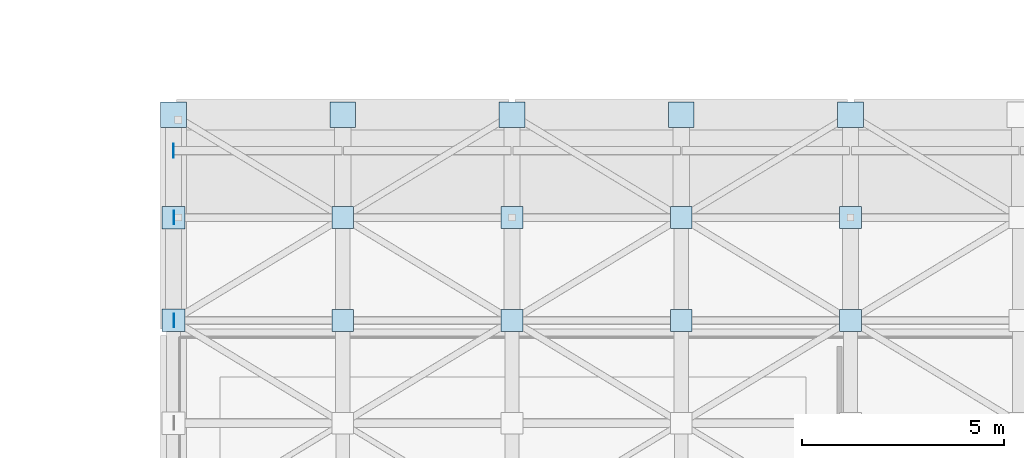
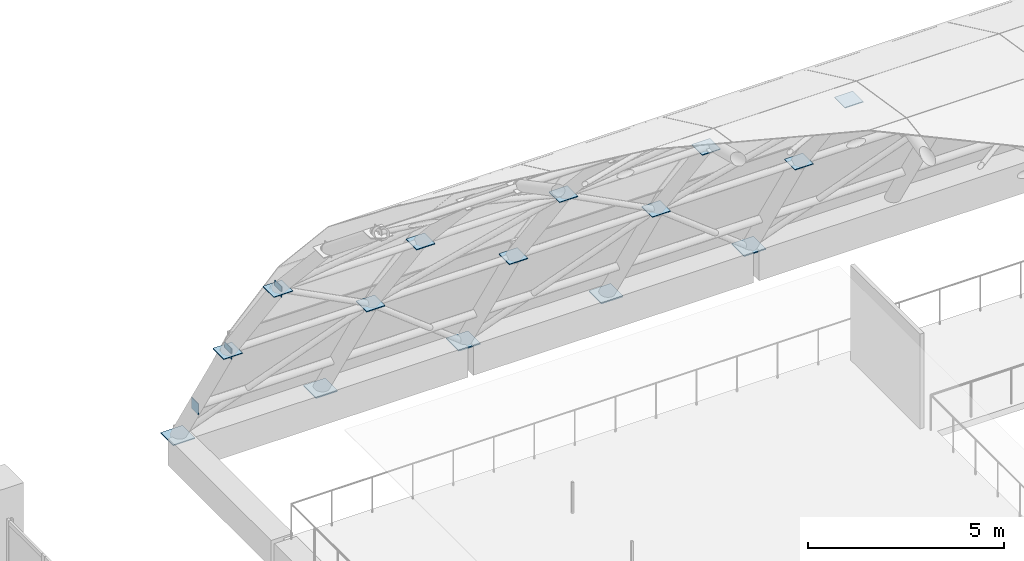
# One storey, part 47 of 128: 18 plates.
"""IFC4 building model written with IfcOpenShell, lengths in metres."""

import ifcopenshell
import ifcopenshell.guid

model = None  # the IFC model being written
_history = None  # IfcOwnerHistory: only IFC2X3 demands one
_inside = {}  # id of a spatial element -> (the spatial element, [elements in it])
_under = {}  # id of a project, library or spatial element -> (it, [spatial elements below it])
_declared = {}  # id of a project -> (the project, [libraries it declares])
_typed = {}  # id of a type object -> (the type object, [elements of that type])
_made_of = {}  # id of a material, layer set ... -> (it, [elements and type objects made of it])


def new_model(schema):
    """Start an empty IFC model of exactly this schema.

    Asked for "IFC4X3", IfcOpenShell would pick the latest addendum, in which some entities
    have other attributes; the version numbers below select the first issue.
    IFC2X3 requires an IfcOwnerHistory on every rooted entity: one is made here for all.
    """
    global model, _history
    if schema == "IFC4X3":
        model = ifcopenshell.file(schema_version=(4, 3, 0, 0))
    else:
        model = ifcopenshell.file(schema=schema)
    _inside.clear()
    _under.clear()
    _declared.clear()
    _typed.clear()
    _made_of.clear()
    _history = None
    if model.schema == "IFC2X3":
        org = make("IfcOrganization", Name="unknown")
        user = make(
            "IfcPersonAndOrganization",
            ThePerson=make("IfcPerson", FamilyName="unknown"),
            TheOrganization=org,
        )
        app = make(
            "IfcApplication",
            ApplicationDeveloper=org,
            Version="unknown",
            ApplicationFullName="unknown",
            ApplicationIdentifier="unknown",
        )
        _history = make(
            "IfcOwnerHistory",
            OwningUser=user,
            OwningApplication=app,
            ChangeAction="ADDED",
            CreationDate=0,
        )
    return model


def make(cls, **values):
    """One entity of the class cls with the attributes given. An attribute that is None is left unset."""
    return model.create_entity(
        cls, **{name: value for name, value in values.items() if value is not None}
    )


def rooted(cls, **values):
    """An entity with a GlobalId (a new one), such as an element, a storey or a relation."""
    return make(cls, GlobalId=ifcopenshell.guid.new(), OwnerHistory=_history, **values)


def si_unit(unit_type, name, prefix=None):
    """IfcSIUnit, for example si_unit("LENGTHUNIT", "METRE", prefix="MILLI")."""
    return make("IfcSIUnit", UnitType=unit_type, Prefix=prefix, Name=name)


def assignment(units):
    """IfcUnitAssignment: the units of a project."""
    return None if units is None else make("IfcUnitAssignment", Units=units)


def point(xyz):
    """IfcCartesianPoint."""
    return None if xyz is None else make("IfcCartesianPoint", Coordinates=xyz)


def direction(xyz):
    """IfcDirection."""
    return None if xyz is None else make("IfcDirection", DirectionRatios=xyz)


def frame(location, z_axis=None, x_axis=None):
    """IfcAxis2Placement3D, a coordinate frame: its origin and axes. An axis left out is left unset."""
    return make(
        "IfcAxis2Placement3D",
        Location=point(location),
        Axis=direction(z_axis),
        RefDirection=direction(x_axis),
    )


def frame_2d(location, x_axis=None):
    """IfcAxis2Placement2D, a coordinate frame in the plane: its origin and x axis."""
    return make(
        "IfcAxis2Placement2D", Location=point(location), RefDirection=direction(x_axis)
    )


def origin():
    """The frame at (0, 0, 0) with its axes left unset."""
    return frame((0.0, 0.0, 0.0))


def origin_2d():
    """The frame at (0, 0) in the plane with its x axis left unset."""
    return frame_2d((0.0, 0.0))


def place(relative_to, where):
    """IfcLocalPlacement: puts the frame where relative to a parent placement (None: the world)."""
    return make(
        "IfcLocalPlacement", PlacementRelTo=relative_to, RelativePlacement=where
    )


def context(
    kind, dimensions, precision=None, world=None, true_north=None, identifier=None
):
    """IfcGeometricRepresentationContext, for example the 3D "Model" context."""
    return make(
        "IfcGeometricRepresentationContext",
        ContextIdentifier=identifier,
        ContextType=kind,
        CoordinateSpaceDimension=dimensions,
        Precision=precision,
        WorldCoordinateSystem=world,
        TrueNorth=true_north,
    )


def subcontext(parent, identifier, kind, view, scale=None):
    """IfcGeometricRepresentationSubContext, for example "Body" below "Model"."""
    return make(
        "IfcGeometricRepresentationSubContext",
        ContextIdentifier=identifier,
        ContextType=kind,
        ParentContext=parent,
        TargetScale=scale,
        TargetView=view,
    )


def project(units=None, contexts=None):
    """IfcProject with its units and contexts."""
    return rooted(
        "IfcProject",
        Name="project",
        RepresentationContexts=contexts,
        UnitsInContext=assignment(units),
    )


def spatial(cls, under=None, at=None, **own):
    """A site, building, storey or space (cls), placed at a placement, below another one or the project."""
    s = rooted(cls, ObjectPlacement=at, **own)
    if under is not None:
        _under.setdefault(under.id(), (under, []))[1].append(s)
    return s


def profile(cls, at=None, kind="AREA", **sizes):
    """A parametric profile (cls). Its sizes go by their IFC names, for example OverallWidth=200.0."""
    return make(cls, ProfileType=kind, Position=at, **sizes)


def rectangle(**sizes):
    """IfcRectangleProfileDef."""
    return profile("IfcRectangleProfileDef", **sizes)


def extrude(swept, where, along, depth):
    """IfcExtrudedAreaSolid: the profile swept, set in the frame where, extruded along a direction by depth."""
    return make(
        "IfcExtrudedAreaSolid",
        SweptArea=swept,
        Position=where,
        ExtrudedDirection=direction(along),
        Depth=depth,
    )


def shape(context_of_items, identifier, shape_type, items):
    """IfcShapeRepresentation: the items that make up one representation, for example the "Body"."""
    return make(
        "IfcShapeRepresentation",
        ContextOfItems=context_of_items,
        RepresentationIdentifier=identifier,
        RepresentationType=shape_type,
        Items=items,
    )


def material(Name=None, Category=None):
    """IfcMaterial."""
    return make("IfcMaterial", Name=Name, Category=Category)


def layer(
    of_material, thickness, ventilated=None, Name=None, Category=None, Priority=None
):
    """IfcMaterialLayer: one layer of a wall or slab, of a material (None: an air gap)."""
    return make(
        "IfcMaterialLayer",
        Material=of_material,
        LayerThickness=thickness,
        IsVentilated=ventilated,
        Name=Name,
        Category=Category,
        Priority=Priority,
    )


def layer_set(layers, Name=None):
    """IfcMaterialLayerSet."""
    return make("IfcMaterialLayerSet", MaterialLayers=layers, LayerSetName=Name)


def made_of(thing, what):
    """Note that an element or type object is made of a material, layer set ...; save() writes the relation."""
    if what is not None:
        _made_of.setdefault(what.id(), (what, []))[1].append(thing)
    return thing


def type_object(cls, material=None, **own):
    """A type object (cls), such as IfcWallType, which elements share."""
    return made_of(rooted(cls, **own), material)


def element(
    cls,
    number,
    at=None,
    inside=None,
    cuts=None,
    type_object=None,
    material=None,
    context=None,
    identifier="Body",
    shape_type=None,
    held_by="IfcProductDefinitionShape",
    body=None,
    shapes=None,
    **own,
):
    """One element of the class cls, such as IfcWall. Its Tag is "e" and its number.

    at: its placement. inside: the storey or other place that contains it. cuts: it is an
    opening in that element (IfcRelVoidsElement). A single representation is given by context,
    identifier, shape_type and body (its items); several are given by shapes. held_by: the class
    of the entity that holds the representations. save() writes the other relations.
    """
    e = rooted(cls, Tag="e%d" % number, ObjectPlacement=at, **own)
    if body is not None:
        shapes = [shape(context, identifier, shape_type, body)]
    if shapes is not None:
        e.Representation = make(held_by, Representations=shapes)
    if inside is not None:
        _inside.setdefault(inside.id(), (inside, []))[1].append(e)
    if cuts is not None:
        rooted(
            "IfcRelVoidsElement", RelatingBuildingElement=cuts, RelatedOpeningElement=e
        )
    if type_object is not None:
        _typed.setdefault(type_object.id(), (type_object, []))[1].append(e)
    return made_of(e, material)


def aggregate(whole, parts):
    """IfcRelAggregates: a whole, such as a stair, and the parts it consists of."""
    return rooted("IfcRelAggregates", RelatingObject=whole, RelatedObjects=parts)


def save(model, path):
    """Write the relations noted so far, then the file.

    IfcRelAggregates (storeys below a building ...), IfcRelContainedInSpatialStructure (elements
    in a storey), IfcRelDefinesByType, IfcRelAssociatesMaterial and IfcRelDeclares: one each for
    every whole, place, type object, material and project.
    """
    for whole, parts in _under.values():
        aggregate(whole, parts)
    for where, things in _inside.values():
        rooted(
            "IfcRelContainedInSpatialStructure",
            RelatedElements=things,
            RelatingStructure=where,
        )
    for kind, things in _typed.values():
        rooted("IfcRelDefinesByType", RelatedObjects=things, RelatingType=kind)
    for what, things in _made_of.values():
        rooted("IfcRelAssociatesMaterial", RelatedObjects=things, RelatingMaterial=what)
    for by, libraries in _declared.values():
        rooted("IfcRelDeclares", RelatingContext=by, RelatedDefinitions=libraries)
    model.write(path)


model = new_model("IFC4")

# Units and contexts
model_context = context("Model", 3, precision=1e-05, world=origin(), true_north=direction((0.0, 1.0)))
body_context = subcontext(model_context, "Body", "Model", "MODEL_VIEW")
ifc_project = project(units=[si_unit("LENGTHUNIT", "METRE"), si_unit("AREAUNIT", "SQUARE_METRE"), si_unit("VOLUMEUNIT", "CUBIC_METRE"), si_unit("PLANEANGLEUNIT", "RADIAN"), si_unit("MASSUNIT", "GRAM", prefix="KILO")], contexts=[model_context])

# Site, building, storey
site_placement = place(None, origin())
site = spatial("IfcSite", under=ifc_project, at=site_placement, CompositionType="ELEMENT")
building_placement = place(site_placement, origin())
building = spatial("IfcBuilding", under=site, at=building_placement, Name="Telukmera Botanical Conservatory", CompositionType="ELEMENT")
storey_placement = place(building_placement, frame((0.0, 0.0, 5.39990234375)))
storey = spatial("IfcBuildingStorey", under=building, at=storey_placement, Name="L01", CompositionType="ELEMENT", Elevation=5.39990234375)

# Plates
ifc_material = material(Name="Steel S355", Category="steel")
ifc_layer_1 = layer(ifc_material, 0.01611328125)
ifc_layer_set_1 = layer_set([ifc_layer_1], Name="Steel S355")
plate_type_1 = type_object("IfcPlateType", Name="Plate_CP1", PredefinedType="USERDEFINED", material=ifc_layer_set_1)
for number, where, z_axis, x_axis, name in (
    (1, (117.612060546875, 43.10009765625, 7.408203125), (0.0, 0.0, 1.0), (1.0, 0.0, 0.0), "CP1 Gridshell Gable Rib End Cap 00-10"),
    (2, (117.612060546875, 45.64990234375, 3.93310546875), (0.0, 0.0, 1.0), (1.0, 0.0, 0.0), "CP1 Gridshell Gable Rib End Cap 00-11"),
    (3, (117.60009765625, 47.3076171875, 1.21435546875), (0.0, 0.0, 1.0), (1.0, 0.0, 0.0), "CP1 Gridshell Gable Rib End Cap 00-12"),
):
    element("IfcPlate", number, at=place(storey_placement, frame(where, z_axis=z_axis, x_axis=x_axis)), inside=storey, type_object=plate_type_1, Name=name, ObjectType="CAP_PLATE", PredefinedType="USERDEFINED", context=body_context, shape_type="SweptSolid", body=[
        extrude(rectangle(XDim=0.01611328125, YDim=0.340087890625, at=origin_2d()), origin(), (0.0, 0.0, 1.0), 0.340087890625),
    ])
ifc_layer_2 = layer(ifc_material, 0.031982421875)
ifc_layer_set_2 = layer_set([ifc_layer_2], Name="Steel S355")
plate_type_2 = type_object("IfcPlateType", Name="Plate_GN1", PredefinedType="USERDEFINED", material=ifc_layer_set_2)
for number, where, z_axis, x_axis, name in (
    (4, (117.60009765625, 48.199951171875, -0.095703125), (0.0, 0.0, 1.0), (1.0, 0.0, 0.0), "GN1 Gridshell Welded Node Drum (00-12)"),
    (5, (121.800048828125, 48.199951171875, -0.095703125), (0.0, 0.0, 1.0), (1.0, 0.0, 0.0), "GN1 Gridshell Welded Node Drum (01-12)"),
    (6, (126.0, 48.199951171875, -0.095703125), (0.0, 0.0, 1.0), (1.0, 0.0, 0.0), "GN1 Gridshell Welded Node Drum (02-12)"),
    (7, (130.199951171875, 48.199951171875, -0.095703125), (0.0, 0.0, 1.0), (1.0, 0.0, 0.0), "GN1 Gridshell Welded Node Drum (03-12)"),
    (8, (134.39990234375, 48.199951171875, -0.095703125), (0.0, 0.0, 1.0), (1.0, 0.0, 0.0), "GN1 Gridshell Welded Node Drum (04-12)"),
):
    element("IfcPlate", number, at=place(storey_placement, frame(where, z_axis=z_axis, x_axis=x_axis)), inside=storey, type_object=plate_type_2, Name=name, ObjectType="GUSSET_PLATE", PredefinedType="USERDEFINED", context=body_context, shape_type="SweptSolid", body=[
        extrude(rectangle(XDim=0.639892578125, YDim=0.639892578125, at=origin_2d()), origin(), (0.0, 0.0, 1.0), 0.031982421875),
    ])
ifc_layer_3 = layer(ifc_material, 0.02490234375)
ifc_layer_set_3 = layer_set([ifc_layer_3], Name="Steel S355")
plate_type_3 = type_object("IfcPlateType", Name="Plate_GN2", PredefinedType="USERDEFINED", material=ifc_layer_set_3)
for number, where, z_axis, x_axis, name in (
    (9, (121.800048828125, 43.10009765625, 7.56591796875), (0.0, 0.0, 1.0), (1.0, 0.0, 0.0), "GN2 Gridshell Welded Node Drum (01-10)"),
    (10, (121.800048828125, 45.64990234375, 4.0908203125), (0.0, 0.0, 1.0), (1.0, 0.0, 0.0), "GN2 Gridshell Welded Node Drum (01-11)"),
    (11, (126.0, 43.10009765625, 7.56591796875), (0.0, 0.0, 1.0), (1.0, 0.0, 0.0), "GN2 Gridshell Welded Node Drum (02-10)"),
    (12, (126.0, 45.64990234375, 4.0908203125), (0.0, 0.0, 1.0), (1.0, 0.0, 0.0), "GN2 Gridshell Welded Node Drum (02-11)"),
    (13, (130.199951171875, 43.10009765625, 7.56591796875), (0.0, 0.0, 1.0), (1.0, 0.0, 0.0), "GN2 Gridshell Welded Node Drum (03-10)"),
    (14, (130.199951171875, 45.64990234375, 4.0908203125), (0.0, 0.0, 1.0), (1.0, 0.0, 0.0), "GN2 Gridshell Welded Node Drum (03-11)"),
    (15, (134.39990234375, 43.10009765625, 7.56591796875), (0.0, 0.0, 1.0), (1.0, 0.0, 0.0), "GN2 Gridshell Welded Node Drum (04-10)"),
    (16, (134.39990234375, 45.64990234375, 4.0908203125), (0.0, 0.0, 1.0), (1.0, 0.0, 0.0), "GN2 Gridshell Welded Node Drum (04-11)"),
):
    element("IfcPlate", number, at=place(storey_placement, frame(where, z_axis=z_axis, x_axis=x_axis)), inside=storey, type_object=plate_type_3, Name=name, ObjectType="GUSSET_PLATE", PredefinedType="USERDEFINED", context=body_context, shape_type="SweptSolid", body=[
        extrude(rectangle(XDim=0.5400390625, YDim=0.5400390625, at=origin_2d()), origin(), (0.0, 0.0, 1.0), 0.02490234375),
    ])
ifc_layer_4 = layer(ifc_material, 0.02001953125)
ifc_layer_set_4 = layer_set([ifc_layer_4], Name="Steel S355")
plate_type_4 = type_object("IfcPlateType", Name="Plate_GN3", PredefinedType="USERDEFINED", material=ifc_layer_set_4)
for number, where, z_axis, x_axis, name in (
    (17, (117.60009765625, 43.10009765625, 7.568359375), (0.0, 0.0, 1.0), (1.0, 0.0, 0.0), "GN3 Gridshell Welded Node Drum (00-10)"),
    (18, (117.60009765625, 45.64990234375, 4.09326171875), (0.0, 0.0, 1.0), (1.0, 0.0, 0.0), "GN3 Gridshell Welded Node Drum (00-11)"),
):
    element("IfcPlate", number, at=place(storey_placement, frame(where, z_axis=z_axis, x_axis=x_axis)), inside=storey, type_object=plate_type_4, Name=name, ObjectType="GUSSET_PLATE", PredefinedType="USERDEFINED", context=body_context, shape_type="SweptSolid", body=[
        extrude(rectangle(XDim=0.56005859375, YDim=0.56005859375, at=origin_2d()), origin(), (0.0, 0.0, 1.0), 0.02001953125),
    ])

save(model, "model.ifc")
